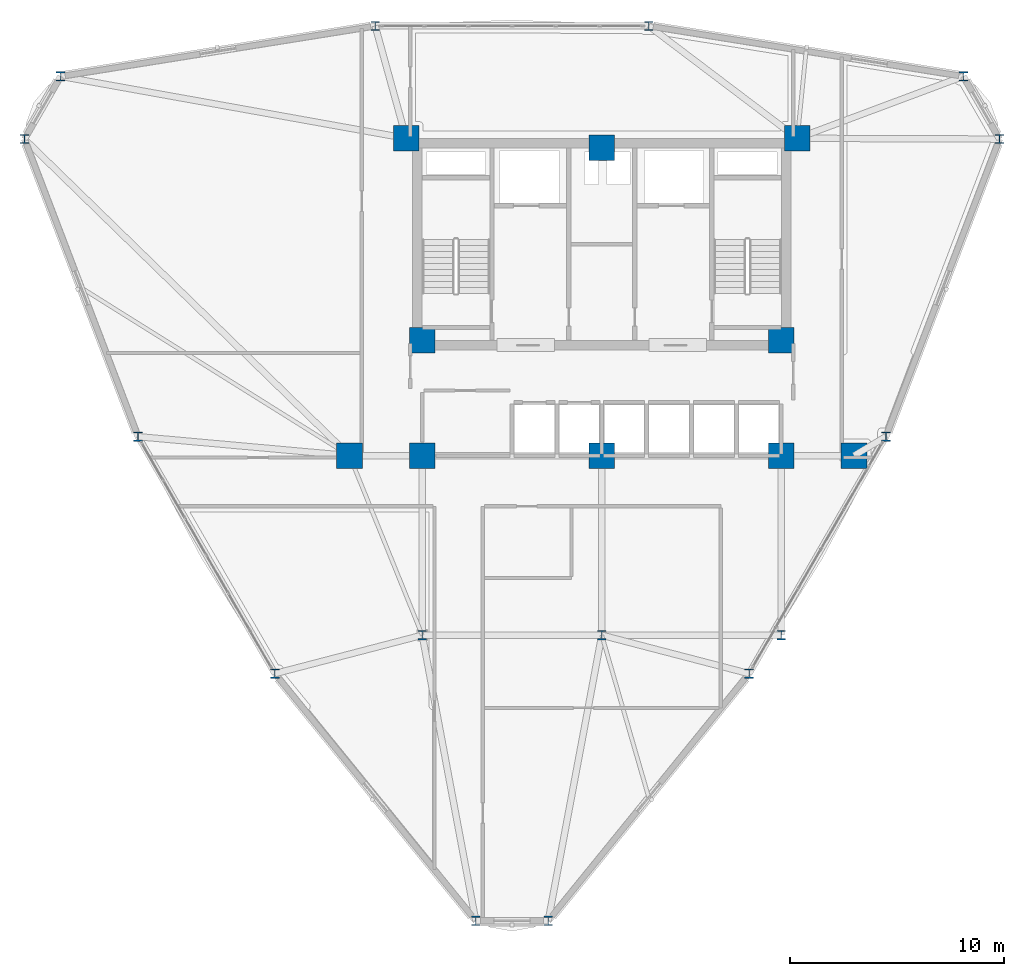
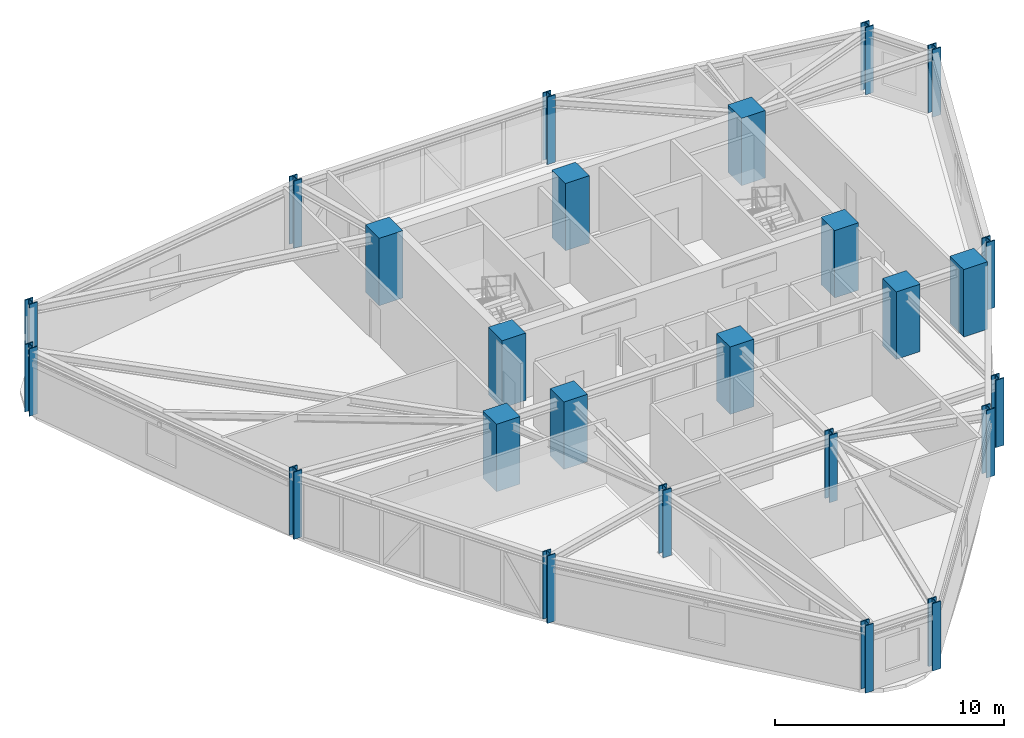
# One storey, part 1 of 15: 25 columns.
"""IFC4 building model written with IfcOpenShell, lengths in metres."""

import ifcopenshell
import ifcopenshell.guid

model = None  # the IFC model being written
_history = None  # IfcOwnerHistory: only IFC2X3 demands one
_inside = {}  # id of a spatial element -> (the spatial element, [elements in it])
_under = {}  # id of a project, library or spatial element -> (it, [spatial elements below it])
_declared = {}  # id of a project -> (the project, [libraries it declares])
_typed = {}  # id of a type object -> (the type object, [elements of that type])
_made_of = {}  # id of a material, layer set ... -> (it, [elements and type objects made of it])


def new_model(schema):
    """Start an empty IFC model of exactly this schema.

    Asked for "IFC4X3", IfcOpenShell would pick the latest addendum, in which some entities
    have other attributes; the version numbers below select the first issue.
    IFC2X3 requires an IfcOwnerHistory on every rooted entity: one is made here for all.
    """
    global model, _history
    if schema == "IFC4X3":
        model = ifcopenshell.file(schema_version=(4, 3, 0, 0))
    else:
        model = ifcopenshell.file(schema=schema)
    _inside.clear()
    _under.clear()
    _declared.clear()
    _typed.clear()
    _made_of.clear()
    _history = None
    if model.schema == "IFC2X3":
        org = make("IfcOrganization", Name="unknown")
        user = make(
            "IfcPersonAndOrganization",
            ThePerson=make("IfcPerson", FamilyName="unknown"),
            TheOrganization=org,
        )
        app = make(
            "IfcApplication",
            ApplicationDeveloper=org,
            Version="unknown",
            ApplicationFullName="unknown",
            ApplicationIdentifier="unknown",
        )
        _history = make(
            "IfcOwnerHistory",
            OwningUser=user,
            OwningApplication=app,
            ChangeAction="ADDED",
            CreationDate=0,
        )
    return model


def make(cls, **values):
    """One entity of the class cls with the attributes given. An attribute that is None is left unset."""
    return model.create_entity(
        cls, **{name: value for name, value in values.items() if value is not None}
    )


def rooted(cls, **values):
    """An entity with a GlobalId (a new one), such as an element, a storey or a relation."""
    return make(cls, GlobalId=ifcopenshell.guid.new(), OwnerHistory=_history, **values)


def si_unit(unit_type, name, prefix=None):
    """IfcSIUnit, for example si_unit("LENGTHUNIT", "METRE", prefix="MILLI")."""
    return make("IfcSIUnit", UnitType=unit_type, Prefix=prefix, Name=name)


def derived_unit(unit_type, elements):
    """IfcDerivedUnit: a product of units, each with its exponent."""
    return make(
        "IfcDerivedUnit",
        Elements=[
            make("IfcDerivedUnitElement", Unit=unit, Exponent=power)
            for unit, power in elements
        ],
        UnitType=unit_type,
    )


def assignment(units):
    """IfcUnitAssignment: the units of a project."""
    return None if units is None else make("IfcUnitAssignment", Units=units)


def point(xyz):
    """IfcCartesianPoint."""
    return None if xyz is None else make("IfcCartesianPoint", Coordinates=xyz)


def direction(xyz):
    """IfcDirection."""
    return None if xyz is None else make("IfcDirection", DirectionRatios=xyz)


def frame(location, z_axis=None, x_axis=None):
    """IfcAxis2Placement3D, a coordinate frame: its origin and axes. An axis left out is left unset."""
    return make(
        "IfcAxis2Placement3D",
        Location=point(location),
        Axis=direction(z_axis),
        RefDirection=direction(x_axis),
    )


def frame_2d(location, x_axis=None):
    """IfcAxis2Placement2D, a coordinate frame in the plane: its origin and x axis."""
    return make(
        "IfcAxis2Placement2D", Location=point(location), RefDirection=direction(x_axis)
    )


def origin():
    """The frame at (0, 0, 0) with its axes left unset."""
    return frame((0.0, 0.0, 0.0))


def origin_2d():
    """The frame at (0, 0) in the plane with its x axis left unset."""
    return frame_2d((0.0, 0.0))


def place(relative_to, where):
    """IfcLocalPlacement: puts the frame where relative to a parent placement (None: the world)."""
    return make(
        "IfcLocalPlacement", PlacementRelTo=relative_to, RelativePlacement=where
    )


def context(
    kind, dimensions, precision=None, world=None, true_north=None, identifier=None
):
    """IfcGeometricRepresentationContext, for example the 3D "Model" context."""
    return make(
        "IfcGeometricRepresentationContext",
        ContextIdentifier=identifier,
        ContextType=kind,
        CoordinateSpaceDimension=dimensions,
        Precision=precision,
        WorldCoordinateSystem=world,
        TrueNorth=true_north,
    )


def subcontext(parent, identifier, kind, view, scale=None):
    """IfcGeometricRepresentationSubContext, for example "Body" below "Model"."""
    return make(
        "IfcGeometricRepresentationSubContext",
        ContextIdentifier=identifier,
        ContextType=kind,
        ParentContext=parent,
        TargetScale=scale,
        TargetView=view,
    )


def project(units=None, contexts=None):
    """IfcProject with its units and contexts."""
    return rooted(
        "IfcProject",
        Name="project",
        RepresentationContexts=contexts,
        UnitsInContext=assignment(units),
    )


def spatial(cls, under=None, at=None, **own):
    """A site, building, storey or space (cls), placed at a placement, below another one or the project."""
    s = rooted(cls, ObjectPlacement=at, **own)
    if under is not None:
        _under.setdefault(under.id(), (under, []))[1].append(s)
    return s


def profile(cls, at=None, kind="AREA", **sizes):
    """A parametric profile (cls). Its sizes go by their IFC names, for example OverallWidth=200.0."""
    return make(cls, ProfileType=kind, Position=at, **sizes)


def rectangle(**sizes):
    """IfcRectangleProfileDef."""
    return profile("IfcRectangleProfileDef", **sizes)


def i_section(**sizes):
    """IfcIShapeProfileDef."""
    return profile("IfcIShapeProfileDef", **sizes)


def extrude(swept, where, along, depth):
    """IfcExtrudedAreaSolid: the profile swept, set in the frame where, extruded along a direction by depth."""
    return make(
        "IfcExtrudedAreaSolid",
        SweptArea=swept,
        Position=where,
        ExtrudedDirection=direction(along),
        Depth=depth,
    )


def shape(context_of_items, identifier, shape_type, items):
    """IfcShapeRepresentation: the items that make up one representation, for example the "Body"."""
    return make(
        "IfcShapeRepresentation",
        ContextOfItems=context_of_items,
        RepresentationIdentifier=identifier,
        RepresentationType=shape_type,
        Items=items,
    )


def source(mapping_origin, context_of_items, identifier, shape_type, items):
    """IfcRepresentationMap: a shape defined once, which mapped items show again and again."""
    return make(
        "IfcRepresentationMap",
        MappingOrigin=mapping_origin,
        MappedRepresentation=shape(context_of_items, identifier, shape_type, items),
    )


def transform(
    local_origin,
    x_axis=None,
    y_axis=None,
    z_axis=None,
    scale=None,
    scale2=None,
    scale3=None,
    uniform=True,
):
    """IfcCartesianTransformationOperator3D, or its non-uniform kind. x_axis, y_axis, z_axis: its Axis1, 2, 3."""
    if uniform:
        return make(
            "IfcCartesianTransformationOperator3D",
            Axis1=direction(x_axis),
            Axis2=direction(y_axis),
            LocalOrigin=point(local_origin),
            Scale=scale,
            Axis3=direction(z_axis),
        )
    return make(
        "IfcCartesianTransformationOperator3DnonUniform",
        Axis1=direction(x_axis),
        Axis2=direction(y_axis),
        LocalOrigin=point(local_origin),
        Scale=scale,
        Axis3=direction(z_axis),
        Scale2=scale2,
        Scale3=scale3,
    )


def mapped(mapping_source, mapping_target):
    """IfcMappedItem: shows the shape of a source again, moved by a transform."""
    return make(
        "IfcMappedItem", MappingSource=mapping_source, MappingTarget=mapping_target
    )


def material(Name=None, Category=None):
    """IfcMaterial."""
    return make("IfcMaterial", Name=Name, Category=Category)


def material_profile(
    of_material, cross_section, Name=None, Category=None, Priority=None
):
    """IfcMaterialProfile: a cross section and its material."""
    return make(
        "IfcMaterialProfile",
        Name=Name,
        Material=of_material,
        Profile=cross_section,
        Priority=Priority,
        Category=Category,
    )


def profile_set(profiles, Name=None, composite=None):
    """IfcMaterialProfileSet."""
    return make(
        "IfcMaterialProfileSet",
        Name=Name,
        MaterialProfiles=profiles,
        CompositeProfile=composite,
    )


def made_of(thing, what):
    """Note that an element or type object is made of a material, layer set ...; save() writes the relation."""
    if what is not None:
        _made_of.setdefault(what.id(), (what, []))[1].append(thing)
    return thing


def type_object(cls, material=None, **own):
    """A type object (cls), such as IfcWallType, which elements share."""
    return made_of(rooted(cls, **own), material)


def element(
    cls,
    number,
    at=None,
    inside=None,
    cuts=None,
    type_object=None,
    material=None,
    context=None,
    identifier="Body",
    shape_type=None,
    held_by="IfcProductDefinitionShape",
    body=None,
    shapes=None,
    **own,
):
    """One element of the class cls, such as IfcWall. Its Tag is "e" and its number.

    at: its placement. inside: the storey or other place that contains it. cuts: it is an
    opening in that element (IfcRelVoidsElement). A single representation is given by context,
    identifier, shape_type and body (its items); several are given by shapes. held_by: the class
    of the entity that holds the representations. save() writes the other relations.
    """
    e = rooted(cls, Tag="e%d" % number, ObjectPlacement=at, **own)
    if body is not None:
        shapes = [shape(context, identifier, shape_type, body)]
    if shapes is not None:
        e.Representation = make(held_by, Representations=shapes)
    if inside is not None:
        _inside.setdefault(inside.id(), (inside, []))[1].append(e)
    if cuts is not None:
        rooted(
            "IfcRelVoidsElement", RelatingBuildingElement=cuts, RelatedOpeningElement=e
        )
    if type_object is not None:
        _typed.setdefault(type_object.id(), (type_object, []))[1].append(e)
    return made_of(e, material)


def aggregate(whole, parts):
    """IfcRelAggregates: a whole, such as a stair, and the parts it consists of."""
    return rooted("IfcRelAggregates", RelatingObject=whole, RelatedObjects=parts)


def save(model, path):
    """Write the relations noted so far, then the file.

    IfcRelAggregates (storeys below a building ...), IfcRelContainedInSpatialStructure (elements
    in a storey), IfcRelDefinesByType, IfcRelAssociatesMaterial and IfcRelDeclares: one each for
    every whole, place, type object, material and project.
    """
    for whole, parts in _under.values():
        aggregate(whole, parts)
    for where, things in _inside.values():
        rooted(
            "IfcRelContainedInSpatialStructure",
            RelatedElements=things,
            RelatingStructure=where,
        )
    for kind, things in _typed.values():
        rooted("IfcRelDefinesByType", RelatedObjects=things, RelatingType=kind)
    for what, things in _made_of.values():
        rooted("IfcRelAssociatesMaterial", RelatedObjects=things, RelatingMaterial=what)
    for by, libraries in _declared.values():
        rooted("IfcRelDeclares", RelatingContext=by, RelatedDefinitions=libraries)
    model.write(path)


model = new_model("IFC4")

# Units and contexts
model_context = context("Model", 3, precision=1e-05, world=origin(), true_north=direction((0.0, 1.0)))
body_context = subcontext(model_context, "Body", "Model", "MODEL_VIEW")
ifc_project = project(units=[si_unit("LENGTHUNIT", "METRE"), si_unit("AREAUNIT", "SQUARE_METRE"), si_unit("VOLUMEUNIT", "CUBIC_METRE"), si_unit("PLANEANGLEUNIT", "RADIAN"), si_unit("MASSUNIT", "GRAM", prefix="KILO"), derived_unit("THERMALTRANSMITTANCEUNIT", [(si_unit("POWERUNIT", "WATT"), 1), (si_unit("LENGTHUNIT", "METRE"), -2), (si_unit("THERMODYNAMICTEMPERATUREUNIT", "KELVIN"), -1)])], contexts=[model_context])

# Site, building, storey
site_placement = place(None, origin())
site = spatial("IfcSite", under=ifc_project, at=site_placement, CompositionType="ELEMENT")
building_placement = place(site_placement, origin())
building = spatial("IfcBuilding", under=site, at=building_placement, Name="Korsvarv Bourse and Concert Hall", CompositionType="ELEMENT")
storey_placement = place(building_placement, frame((0.0, 0.0, 161.39990234375)))
storey = spatial("IfcBuildingStorey", under=building, at=storey_placement, Name="L41", CompositionType="ELEMENT", Elevation=161.39990234375)

# Columns
ifc_material_1 = material(Name="Concrete C60/75", Category="concrete")
ifc_material_profile_1 = material_profile(ifc_material_1, rectangle(XDim=1.199951171875, YDim=1.199951171875, at=origin_2d()), Name="RC 1200x1200")
ifc_profile_set_1 = profile_set([ifc_material_profile_1], Name="Concrete C60/75")
column_type_1 = type_object("IfcColumnType", Name="COL-RC1200", PredefinedType="COLUMN", material=ifc_profile_set_1)
shared_shape_1 = source(origin(), body_context, "Body", "SweptSolid", [
    extrude(rectangle(XDim=1.199951171875, YDim=1.199951171875, at=origin_2d()), origin(), (0.0, 0.0, 1.0), 3.60009765625),
])
for number, where, z_axis, x_axis, name in (
    (1, (26.85009765625, 47.25, 0.0), (0.0, 0.0, 1.0), (1.0, 0.0, 0.0), "L41 column C-02"),
    (2, (45.14990234375, 47.25, 0.0), (0.0, 0.0, 1.0), (1.0, 0.0, 0.0), "L41 column C-02"),
    (3, (27.60009765625, 37.800048828125, 0.0), (0.0, 0.0, 1.0), (1.0, 0.0, 0.0), "L41 column C-02"),
    (4, (44.39990234375, 37.800048828125, 0.0), (0.0, 0.0, 1.0), (1.0, 0.0, 0.0), "L41 column C-02"),
    (5, (27.60009765625, 32.39990234375, 0.0), (0.0, 0.0, 1.0), (1.0, 0.0, 0.0), "L41 column C-02"),
    (6, (44.39990234375, 32.39990234375, 0.0), (0.0, 0.0, 1.0), (1.0, 0.0, 0.0), "L41 column C-02"),
    (7, (36.0, 46.800048828125, 0.0), (0.0, 0.0, 1.0), (1.0, 0.0, 0.0), "L41 column C-02"),
    (8, (36.0, 32.39990234375, 0.0), (0.0, 0.0, 1.0), (1.0, 0.0, 0.0), "L41 column C-02"),
    (9, (24.199951171875, 32.39990234375, 0.0), (0.0, 0.0, 1.0), (1.0, 0.0, 0.0), "L41 column C-02"),
    (10, (47.800048828125, 32.39990234375, 0.0), (0.0, 0.0, 1.0), (1.0, 0.0, 0.0), "L41 column C-02"),
):
    element("IfcColumn", number, at=place(storey_placement, frame(where, z_axis=z_axis, x_axis=x_axis)), inside=storey, type_object=column_type_1, Name=name, PredefinedType="COLUMN", context=body_context, shape_type="MappedRepresentation", body=[
        mapped(shared_shape_1, transform((0.0, 0.0, 0.0), scale=1.0)),
    ])
ifc_material_2 = material(Name="Steel S355", Category="steel")
ifc_material_profile_2 = material_profile(ifc_material_2, i_section(OverallWidth=0.412109375, OverallDepth=0.43505859375, WebThickness=0.032958984375, FlangeThickness=0.052978515625, FilletRadius=0.014892578125, at=origin_2d()), Name="HD 400x463")
ifc_profile_set_2 = profile_set([ifc_material_profile_2], Name="Steel S355")
column_type_2 = type_object("IfcColumnType", Name="COL-HD463", PredefinedType="COLUMN", material=ifc_profile_set_2)
shared_shape_2 = source(origin(), body_context, "Body", "SweptSolid", [
    extrude(i_section(OverallWidth=0.412109375, OverallDepth=0.43505859375, WebThickness=0.032958984375, FlangeThickness=0.052978515625, FilletRadius=0.014892578125, at=origin_2d()), origin(), (0.0, 0.0, 1.0), 3.60009765625),
])
for number, where, z_axis, x_axis, name in (
    (11, (27.60009765625, 24.0, 0.0), (0.0, 0.0, 1.0), (1.0, 0.0, 0.0), "L41 column C-09"),
    (12, (44.39990234375, 24.0, 0.0), (0.0, 0.0, 1.0), (1.0, 0.0, 0.0), "L41 column C-09"),
    (13, (36.0, 24.0, 0.0), (0.0, 0.0, 1.0), (1.0, 0.0, 0.0), "L41 column C-09"),
    (14, (54.6142578125, 47.2138671875, 0.0), (0.0, 0.0, 1.0), (1.0, 0.0, 0.0), "L41 column C-09"),
    (15, (52.918701171875, 50.15087890625, 0.0), (0.0, 0.0, 1.0), (1.0, 0.0, 0.0), "L41 column C-09"),
    (16, (38.201416015625, 52.507568359375, 0.0), (0.0, 0.0, 1.0), (1.0, 0.0, 0.0), "L41 column C-09"),
    (17, (25.3984375, 52.507568359375, 0.0), (0.0, 0.0, 1.0), (1.0, 0.0, 0.0), "L41 column C-09"),
    (18, (10.681396484375, 50.15087890625, 0.0), (0.0, 0.0, 1.0), (1.0, 0.0, 0.0), "L41 column C-09"),
    (19, (8.985595703125, 47.2138671875, 0.0), (0.0, 0.0, 1.0), (1.0, 0.0, 0.0), "L41 column C-09"),
    (20, (14.30322265625, 33.2900390625, 0.0), (0.0, 0.0, 1.0), (1.0, 0.0, 0.0), "L41 column C-09"),
    (21, (20.704833984375, 22.202392578125, 0.0), (0.0, 0.0, 1.0), (1.0, 0.0, 0.0), "L41 column C-09"),
    (22, (30.104248046875, 10.63525390625, 0.0), (0.0, 0.0, 1.0), (1.0, 0.0, 0.0), "L41 column C-09"),
    (23, (33.49560546875, 10.63525390625, 0.0), (0.0, 0.0, 1.0), (1.0, 0.0, 0.0), "L41 column C-09"),
    (24, (42.895263671875, 22.202392578125, 0.0), (0.0, 0.0, 1.0), (1.0, 0.0, 0.0), "L41 column C-09"),
    (25, (49.296630859375, 33.2900390625, 0.0), (0.0, 0.0, 1.0), (1.0, 0.0, 0.0), "L41 column C-09"),
):
    element("IfcColumn", number, at=place(storey_placement, frame(where, z_axis=z_axis, x_axis=x_axis)), inside=storey, type_object=column_type_2, Name=name, PredefinedType="COLUMN", context=body_context, shape_type="MappedRepresentation", body=[
        mapped(shared_shape_2, transform((0.0, 0.0, 0.0), scale=1.0)),
    ])

save(model, "model.ifc")
